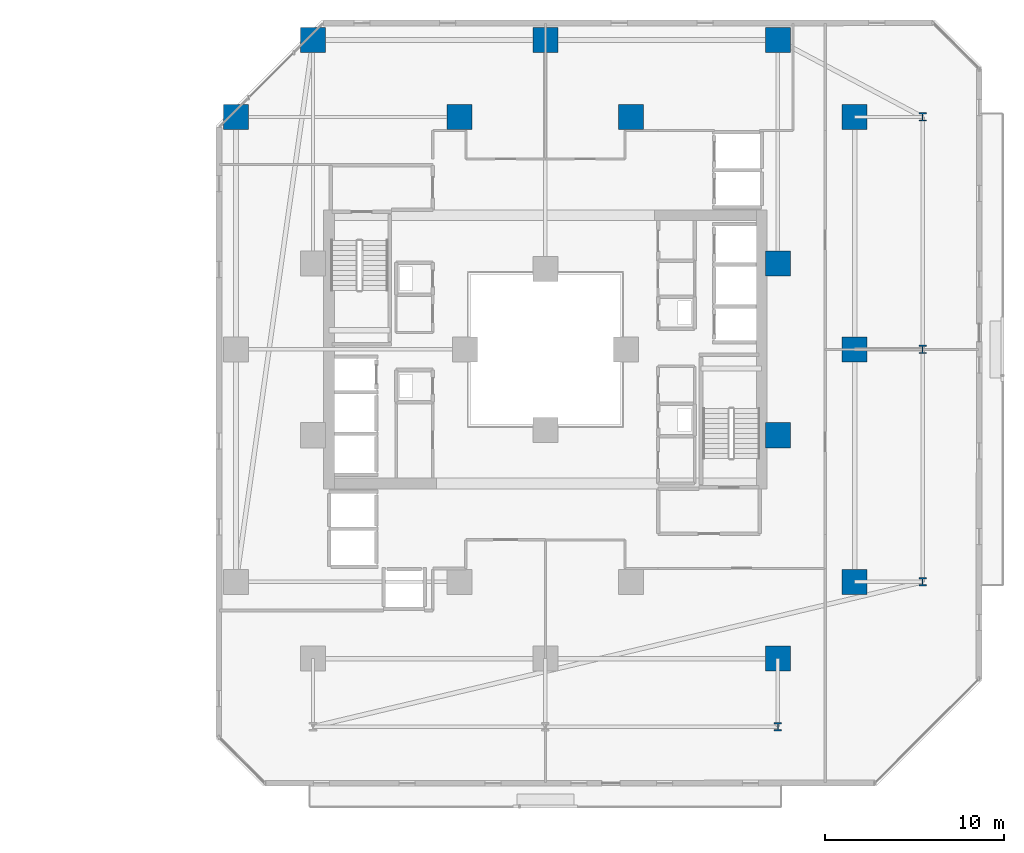
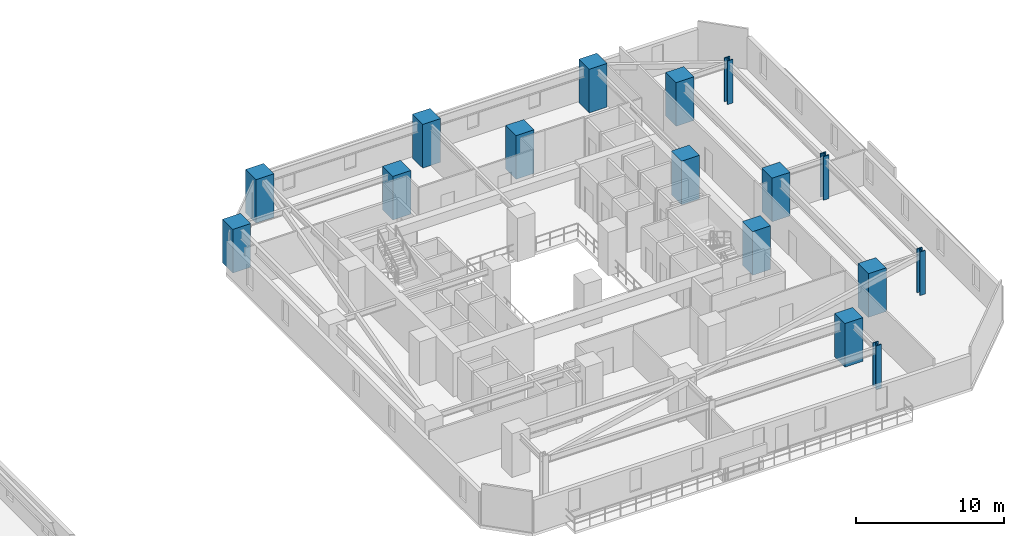
# One storey, part 2 of 33: 16 columns.
"""IFC4 building model written with IfcOpenShell, lengths in metres."""

from ifc_helpers import new_model, si_unit, direction, frame, origin, origin_2d, place, context, subcontext, project, spatial, rectangle, i_section, extrude, material, material_profile, profile_set, type_object, element, save


model = new_model("IFC4")

# Units and contexts
model_context = context("Model", 3, precision=1e-05, world=origin(), true_north=direction((0.0, 1.0)))
body_context = subcontext(model_context, "Body", "Model", "MODEL_VIEW")
ifc_project = project(units=[si_unit("LENGTHUNIT", "METRE"), si_unit("AREAUNIT", "SQUARE_METRE"), si_unit("VOLUMEUNIT", "CUBIC_METRE"), si_unit("PLANEANGLEUNIT", "RADIAN"), si_unit("MASSUNIT", "GRAM", prefix="KILO")], contexts=[model_context])

# Site, building, storey
site_placement = place(None, origin())
site = spatial("IfcSite", under=ifc_project, at=site_placement, CompositionType="ELEMENT")
building_placement = place(site_placement, origin())
building = spatial("IfcBuilding", under=site, at=building_placement, Name="Thornwick Lancets Civic Towers", CompositionType="ELEMENT")
storey_placement = place(building_placement, frame((0.0, 0.0, 31.5)))
storey = spatial("IfcBuildingStorey", under=building, at=storey_placement, Name="L07", CompositionType="ELEMENT", Elevation=31.5)

# Columns
ifc_material_1 = material(Name="Concrete C60/75", Category="concrete")
ifc_material_profile_1 = material_profile(ifc_material_1, rectangle(XDim=1.39990234375, YDim=1.39990234375, at=origin_2d()), Name="RC 1400x1400")
ifc_profile_set_1 = profile_set([ifc_material_profile_1], Name="Concrete C60/75")
column_type_1 = type_object("IfcColumnType", Name="COL_RC_1400", PredefinedType="COLUMN", material=ifc_profile_set_1)
for number, where, z_axis, x_axis, name in (
    (1, (105.800048828125, 14.0, 0.0), (0.0, 0.0, 1.0), (1.0, 0.0, 0.0), "L07 Spine Mega-Column B01"),
    (2, (105.800048828125, 27.0, 0.0), (0.0, 0.0, 1.0), (1.0, 0.0, 0.0), "L07 Spine Mega-Column B02"),
    (3, (105.800048828125, 40.0, 0.0), (0.0, 0.0, 1.0), (1.0, 0.0, 0.0), "L07 Spine Mega-Column B03"),
    (4, (101.5, 44.300048828125, 0.0), (0.0, 0.0, 1.0), (1.0, 0.0, 0.0), "L07 Spine Mega-Column B04"),
    (5, (88.5, 44.300048828125, 0.0), (0.0, 0.0, 1.0), (1.0, 0.0, 0.0), "L07 Spine Mega-Column B05"),
    (6, (75.5, 44.300048828125, 0.0), (0.0, 0.0, 1.0), (1.0, 0.0, 0.0), "L07 Spine Mega-Column B06"),
    (7, (71.199951171875, 40.0, 0.0), (0.0, 0.0, 1.0), (1.0, 0.0, 0.0), "L07 Spine Mega-Column B09"),
    (8, (101.5, 9.699951171875, 0.0), (0.0, 0.0, 1.0), (1.0, 0.0, 0.0), "L07 Spine Mega-Column B10"),
    (9, (93.300048828125, 40.0, 0.0), (0.0, 0.0, 1.0), (1.0, 0.0, 0.0), "L07 Spine Mega-Column B14"),
    (10, (83.699951171875, 40.0, 0.0), (0.0, 0.0, 1.0), (1.0, 0.0, 0.0), "L07 Spine Mega-Column B16"),
    (11, (101.5, 22.199951171875, 0.0), (0.0, 0.0, 1.0), (1.0, 0.0, 0.0), "L07 Spine Mega-Column B17"),
    (12, (101.5, 31.800048828125, 0.0), (0.0, 0.0, 1.0), (1.0, 0.0, 0.0), "L07 Spine Mega-Column B18"),
):
    element("IfcColumn", number, at=place(storey_placement, frame(where, z_axis=z_axis, x_axis=x_axis)), inside=storey, type_object=column_type_1, Name=name, PredefinedType="COLUMN", context=body_context, shape_type="SweptSolid", body=[
        extrude(rectangle(XDim=1.39990234375, YDim=1.39990234375, at=origin_2d()), origin(), (0.0, 0.0, 1.0), 3.60009765625),
    ])
ifc_material_2 = material(Name="Steel S460M", Category="steel")
ifc_material_profile_2 = material_profile(ifc_material_2, i_section(OverallWidth=0.424072265625, OverallDepth=0.474609375, WebThickness=0.047607421875, FlangeThickness=0.076904296875, FilletRadius=0.01513671875, at=origin_2d()), Name="UKC 356x406x634")
ifc_profile_set_2 = profile_set([ifc_material_profile_2], Name="Steel S460M")
column_type_2 = type_object("IfcColumnType", Name="COL_UKC_634", PredefinedType="COLUMN", material=ifc_profile_set_2)
for number, where, z_axis, x_axis, name in (
    (13, (109.60009765625, 14.0, 0.0), (0.0, 0.0, 1.0), (1.0, 0.0, 0.0), "L07 Block Perimeter Column B01"),
    (14, (109.60009765625, 27.0, 0.0), (0.0, 0.0, 1.0), (1.0, 0.0, 0.0), "L07 Block Perimeter Column B02"),
    (15, (109.60009765625, 40.0, 0.0), (0.0, 0.0, 1.0), (1.0, 0.0, 0.0), "L07 Block Perimeter Column B03"),
    (16, (101.5, 5.89990234375, 0.0), (0.0, 0.0, 1.0), (1.0, 0.0, 0.0), "L07 Block Perimeter Column B10"),
):
    element("IfcColumn", number, at=place(storey_placement, frame(where, z_axis=z_axis, x_axis=x_axis)), inside=storey, type_object=column_type_2, Name=name, PredefinedType="COLUMN", context=body_context, shape_type="SweptSolid", body=[
        extrude(i_section(OverallWidth=0.424072265625, OverallDepth=0.474609375, WebThickness=0.047607421875, FlangeThickness=0.076904296875, FilletRadius=0.01513671875, at=origin_2d()), origin(), (0.0, 0.0, 1.0), 3.60009765625),
    ])

save(model, "model.ifc")
